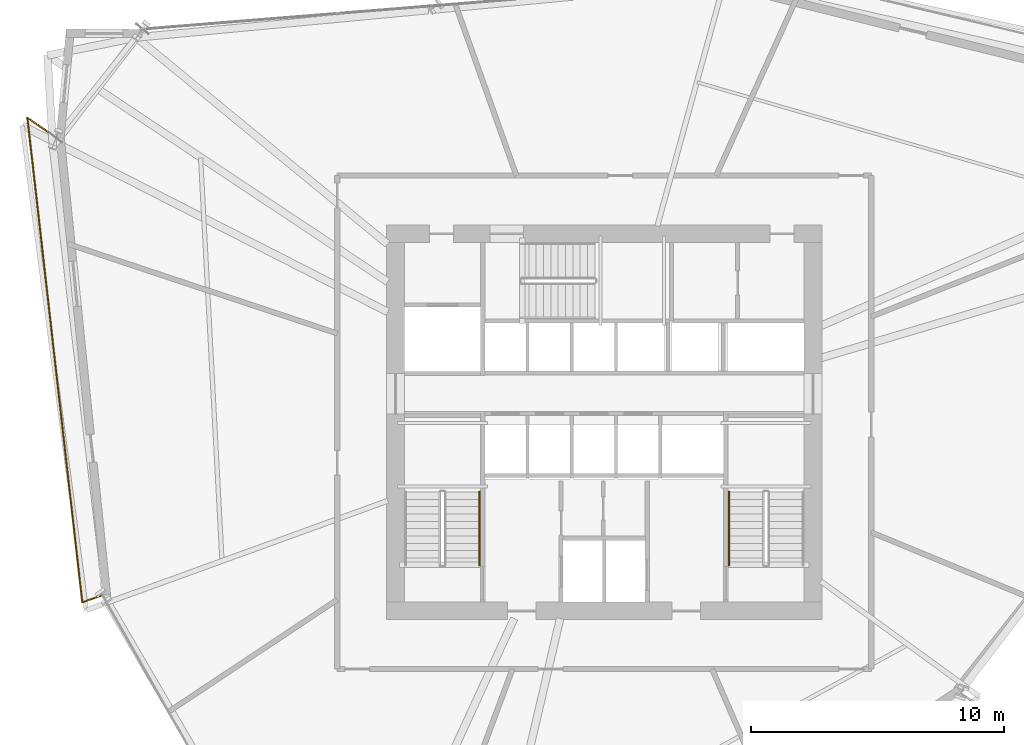
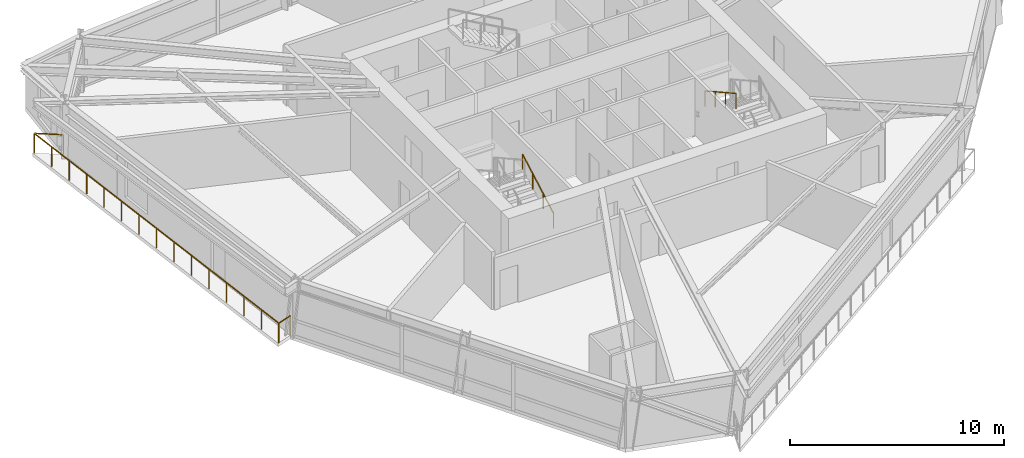
# One storey, part 16 of 18: 3 railings.
"""IFC4 building model written with IfcOpenShell, lengths in metres."""

from ifc_helpers import new_model, si_unit, direction, frame, origin, origin_2d, place, context, subcontext, project, spatial, rectangle, extrude, material, type_object, element, save


model = new_model("IFC4")

# Units and contexts
model_context = context("Model", 3, precision=1e-05, world=origin(), true_north=direction((0.0, 1.0)))
body_context = subcontext(model_context, "Body", "Model", "MODEL_VIEW")
ifc_project = project(units=[si_unit("LENGTHUNIT", "METRE"), si_unit("AREAUNIT", "SQUARE_METRE"), si_unit("VOLUMEUNIT", "CUBIC_METRE"), si_unit("PLANEANGLEUNIT", "RADIAN"), si_unit("MASSUNIT", "GRAM", prefix="KILO")], contexts=[model_context])

# Site, building, storey
site_placement = place(None, origin())
site = spatial("IfcSite", under=ifc_project, at=site_placement, CompositionType="ELEMENT")
building_placement = place(site_placement, origin())
building = spatial("IfcBuilding", under=site, at=building_placement, Name="Olszyna Solenne Hotel", CompositionType="ELEMENT")
storey_placement = place(building_placement, frame((0.0, 0.0, 112.800048828125)))
storey = spatial("IfcBuildingStorey", under=building, at=storey_placement, Name="L29", CompositionType="ELEMENT", Elevation=112.800048828125)

# Railings
ifc_material_1 = material(Name="Anodised bronze aluminium", Category="aluminium")
railing_type_1 = type_object("IfcRailingType", Name="GR-110", PredefinedType="BALUSTRADE", material=ifc_material_1)
railing_1_placement = place(storey_placement, frame((16.343994140625, 37.853515625, 0.0)))
element("IfcRailing", 1, at=railing_1_placement, inside=storey, type_object=railing_type_1, Name="Loggia balcony balustrade guard GR-L29-LG2", PredefinedType="BALUSTRADE", context=body_context, shape_type="SweptSolid", body=[
    extrude(rectangle(XDim=0.048095703125, YDim=0.048095703125, at=origin_2d()), frame((0.0, 0.0, 1.1259765625), z_axis=(-0.823706038874, 0.567017073396, 0.0), x_axis=(-0.567017073396, -0.823706038874, 0.0)), (0.0, 0.0, 1.0), 1.379150390625),
    extrude(rectangle(XDim=0.048095703125, YDim=0.048095703125, at=origin_2d()), frame((-1.135986328125, 0.781982421875, 1.1259765625), z_axis=(0.112511197546, -0.993650456864, 0.0), x_axis=(0.993650456864, 0.112511197546, 0.0)), (0.0, 0.0, 1.0), 19.273193359375),
    extrude(rectangle(XDim=0.048095703125, YDim=0.048095703125, at=origin_2d()), frame((1.032470703125, -18.368896484375, 1.1259765625), z_axis=(0.943723297436, 0.330736054698, 0.0), x_axis=(-0.330736054698, 0.943723297436, 0.0)), (0.0, 0.0, 1.0), 0.845947265625),
    extrude(rectangle(XDim=0.0419921875, YDim=0.0419921875, at=origin_2d()), origin(), (0.0, 0.0, 1.0), 1.101806640625),
    extrude(rectangle(XDim=0.0419921875, YDim=0.0419921875, at=origin_2d()), frame((-1.135986328125, 0.781982421875, 0.0)), (0.0, 0.0, 1.0), 1.101806640625),
    extrude(rectangle(XDim=0.0419921875, YDim=0.0419921875, at=origin_2d()), frame((-0.981201171875, -0.5859375, 0.0)), (0.0, 0.0, 1.0), 1.101806640625),
    extrude(rectangle(XDim=0.0419921875, YDim=0.0419921875, at=origin_2d()), frame((-0.826171875, -1.953857421875, 0.0)), (0.0, 0.0, 1.0), 1.101806640625),
    extrude(rectangle(XDim=0.0419921875, YDim=0.0419921875, at=origin_2d()), frame((-0.67138671875, -3.32177734375, 0.0)), (0.0, 0.0, 1.0), 1.101806640625),
    extrude(rectangle(XDim=0.0419921875, YDim=0.0419921875, at=origin_2d()), frame((-0.516357421875, -4.689697265625, 0.0)), (0.0, 0.0, 1.0), 1.101806640625),
    extrude(rectangle(XDim=0.0419921875, YDim=0.0419921875, at=origin_2d()), frame((-0.361572265625, -6.0576171875, 0.0)), (0.0, 0.0, 1.0), 1.101806640625),
    extrude(rectangle(XDim=0.0419921875, YDim=0.0419921875, at=origin_2d()), frame((-0.20654296875, -7.425537109375, 0.0)), (0.0, 0.0, 1.0), 1.101806640625),
    extrude(rectangle(XDim=0.0419921875, YDim=0.0419921875, at=origin_2d()), frame((-0.0517578125, -8.79345703125, 0.0)), (0.0, 0.0, 1.0), 1.101806640625),
    extrude(rectangle(XDim=0.0419921875, YDim=0.0419921875, at=origin_2d()), frame((0.10302734375, -10.161376953125, 0.0)), (0.0, 0.0, 1.0), 1.101806640625),
    extrude(rectangle(XDim=0.0419921875, YDim=0.0419921875, at=origin_2d()), frame((0.258056640625, -11.529296875, 0.0)), (0.0, 0.0, 1.0), 1.101806640625),
    extrude(rectangle(XDim=0.0419921875, YDim=0.0419921875, at=origin_2d()), frame((0.412841796875, -12.897216796875, 0.0)), (0.0, 0.0, 1.0), 1.101806640625),
    extrude(rectangle(XDim=0.0419921875, YDim=0.0419921875, at=origin_2d()), frame((0.56787109375, -14.26513671875, 0.0)), (0.0, 0.0, 1.0), 1.101806640625),
    extrude(rectangle(XDim=0.0419921875, YDim=0.0419921875, at=origin_2d()), frame((0.72265625, -15.633056640625, 0.0)), (0.0, 0.0, 1.0), 1.101806640625),
    extrude(rectangle(XDim=0.0419921875, YDim=0.0419921875, at=origin_2d()), frame((0.877685546875, -17.0009765625, 0.0)), (0.0, 0.0, 1.0), 1.101806640625),
    extrude(rectangle(XDim=0.0419921875, YDim=0.0419921875, at=origin_2d()), frame((1.032470703125, -18.368896484375, 0.0)), (0.0, 0.0, 1.0), 1.101806640625),
    extrude(rectangle(XDim=0.0419921875, YDim=0.0419921875, at=origin_2d()), frame((1.830810546875, -18.089111328125, 0.0)), (0.0, 0.0, 1.0), 1.101806640625),
])
ifc_material_2 = material(Name="Steel S355J2", Category="steel")
railing_type_2 = type_object("IfcRailingType", Name="HR-090", PredefinedType="HANDRAIL", material=ifc_material_2)
railing_2_placement = place(storey_placement, frame((33.070068359375, 20.949951171875, 0.161376953125)))
element("IfcRailing", 2, at=railing_2_placement, inside=storey, type_object=railing_type_2, Name="L29 ST1 stair handrail 1", PredefinedType="HANDRAIL", context=body_context, shape_type="SweptSolid", body=[
    extrude(rectangle(XDim=0.048095703125, YDim=0.048095703125, at=origin_2d()), frame((0.0, 0.0, 0.8759765625), z_axis=(0.0, 0.873858693841, 0.486179990537), x_axis=(-1.0, 0.0, 0.0)), (0.0, 0.0, 1.0), 3.31884765625),
    extrude(rectangle(XDim=0.0419921875, YDim=0.0419921875, at=origin_2d()), origin(), (0.0, 0.0, 1.0), 0.851806640625),
    extrude(rectangle(XDim=0.0419921875, YDim=0.0419921875, at=origin_2d()), frame((0.0, 0.966796875, 0.537841796875)), (0.0, 0.0, 1.0), 0.851806640625),
    extrude(rectangle(XDim=0.0419921875, YDim=0.0419921875, at=origin_2d()), frame((0.0, 1.933349609375, 1.07568359375)), (0.0, 0.0, 1.0), 0.851806640625),
    extrude(rectangle(XDim=0.0419921875, YDim=0.0419921875, at=origin_2d()), frame((0.0, 2.900146484375, 1.613525390625)), (0.0, 0.0, 1.0), 0.851806640625),
])
railing_3_placement = place(storey_placement, frame((42.929931640625, 23.85009765625, 1.936279296875)))
element("IfcRailing", 3, at=railing_3_placement, inside=storey, type_object=railing_type_2, Name="L29 ST2 stair handrail 2", PredefinedType="HANDRAIL", context=body_context, shape_type="SweptSolid", body=[
    extrude(rectangle(XDim=0.048095703125, YDim=0.048095703125, at=origin_2d()), frame((0.0, 0.0, 0.8759765625), z_axis=(0.0, -0.873827439584, 0.48623616261), x_axis=(1.0, 0.0, 0.0)), (0.0, 0.0, 1.0), 3.31884765625),
    extrude(rectangle(XDim=0.0419921875, YDim=0.0419921875, at=origin_2d()), origin(), (0.0, 0.0, 1.0), 0.851806640625),
    extrude(rectangle(XDim=0.0419921875, YDim=0.0419921875, at=origin_2d()), frame((0.0, -0.966796875, 0.537841796875)), (0.0, 0.0, 1.0), 0.851806640625),
    extrude(rectangle(XDim=0.0419921875, YDim=0.0419921875, at=origin_2d()), frame((0.0, -1.933349609375, 1.075927734375)), (0.0, 0.0, 1.0), 0.851806640625),
    extrude(rectangle(XDim=0.0419921875, YDim=0.0419921875, at=origin_2d()), frame((0.0, -2.900146484375, 1.61376953125)), (0.0, 0.0, 1.0), 0.851806640625),
])

save(model, "model.ifc")
